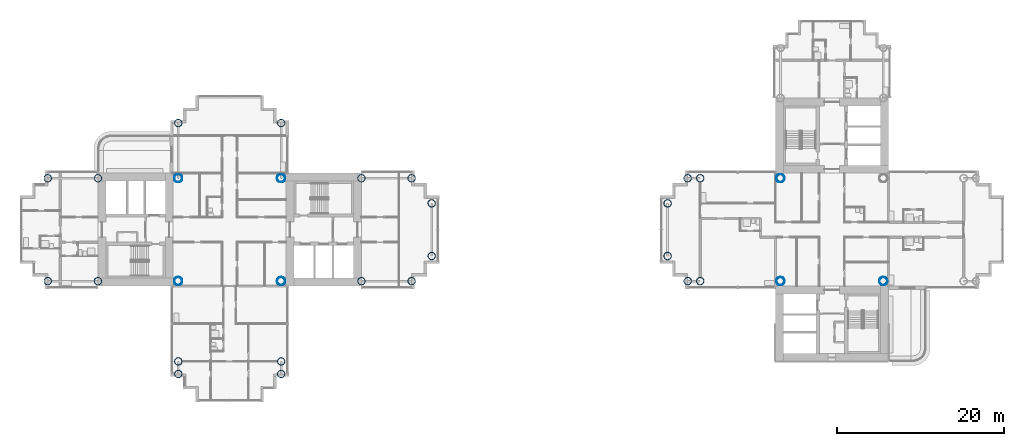
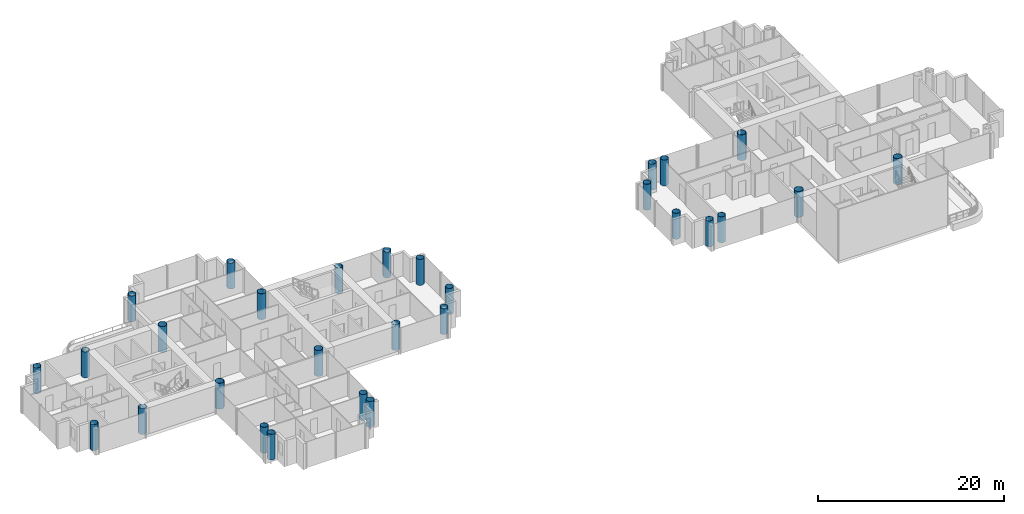
# One storey, part 1 of 22: 29 columns.
"""IFC4 building model written with IfcOpenShell, lengths in metres."""

from ifc_helpers import new_model, si_unit, direction, frame, origin, origin_2d, place, context, subcontext, project, spatial, hollow_circle, extrude, material, material_profile, profile_set, type_object, element, save


model = new_model("IFC4")

# Units and contexts
model_context = context("Model", 3, precision=1e-05, world=origin(), true_north=direction((0.0, 1.0)))
body_context = subcontext(model_context, "Body", "Model", "MODEL_VIEW")
ifc_project = project(units=[si_unit("LENGTHUNIT", "METRE"), si_unit("AREAUNIT", "SQUARE_METRE"), si_unit("VOLUMEUNIT", "CUBIC_METRE"), si_unit("PLANEANGLEUNIT", "RADIAN"), si_unit("MASSUNIT", "GRAM", prefix="KILO")], contexts=[model_context])

# Site, building, storey
site_placement = place(None, origin())
site = spatial("IfcSite", under=ifc_project, at=site_placement, CompositionType="ELEMENT")
building_placement = place(site_placement, origin())
building = spatial("IfcBuilding", under=site, at=building_placement, Name="Ipe Terrace Towers", CompositionType="ELEMENT")
storey_placement = place(building_placement, frame((0.0, 0.0, 90.199951171875)))
storey = spatial("IfcBuildingStorey", under=building, at=storey_placement, Name="L24", CompositionType="ELEMENT", Elevation=90.199951171875)

# Columns
ifc_material_1 = material(Name="Steel S355 tube with Concrete C60/75 fill", Category="concrete")
ifc_material_profile_1 = material_profile(ifc_material_1, hollow_circle(Radius=0.5, WallThickness=0.035888671875, at=origin_2d()), Name="CHS-1000x36")
ifc_profile_set_1 = profile_set([ifc_material_profile_1], Name="Steel S355 tube with Concrete C60/75 fill")
column_type_1 = type_object("IfcColumnType", Name="CH01 COLUMN CHS-1000x36", PredefinedType="COLUMN", material=ifc_profile_set_1)
for number, where, z_axis, x_axis, name in (
    (1, (-42.14990234375, -6.14990234375, 0.0), (0.0, 0.0, 1.0), (1.0, 0.0, 0.0), "Column T1-C-E01"),
    (2, (-29.85009765625, -6.14990234375, 0.0), (0.0, 0.0, 1.0), (1.0, 0.0, 0.0), "Column T1-C-E02"),
    (3, (-29.85009765625, 6.14990234375, 0.0), (0.0, 0.0, 1.0), (1.0, 0.0, 0.0), "Column T1-C-E03"),
    (4, (-42.14990234375, 6.14990234375, 0.0), (0.0, 0.0, 1.0), (1.0, 0.0, 0.0), "Column T1-C-E04"),
    (5, (42.14990234375, -6.14990234375, 0.0), (0.0, 0.0, 1.0), (1.0, 0.0, 0.0), "Column T2-C-E01"),
    (6, (29.85009765625, 6.14990234375, 0.0), (0.0, 0.0, 1.0), (1.0, 0.0, 0.0), "Column T2-C-E03"),
    (7, (29.85009765625, -6.14990234375, 0.0), (0.0, 0.0, 1.0), (1.0, 0.0, 0.0), "Column T2-C-E04"),
):
    element("IfcColumn", number, at=place(storey_placement, frame(where, z_axis=z_axis, x_axis=x_axis)), inside=storey, type_object=column_type_1, Name=name, PredefinedType="COLUMN", context=body_context, shape_type="SweptSolid", body=[
        extrude(hollow_circle(Radius=0.5, WallThickness=0.035888671875, at=origin_2d()), origin(), (0.0, 0.0, 1.0), 3.400146484375),
    ])
ifc_material_2 = material(Name="Steel S355 tube with Concrete C60/75 fill", Category="concrete")
ifc_material_profile_2 = material_profile(ifc_material_2, hollow_circle(Radius=0.449951171875, WallThickness=0.031982421875, at=origin_2d()), Name="CHS-900x32")
ifc_profile_set_2 = profile_set([ifc_material_profile_2], Name="Steel S355 tube with Concrete C60/75 fill")
column_type_2 = type_object("IfcColumnType", Name="CH10 COLUMN CHS-900x32", PredefinedType="COLUMN", material=ifc_profile_set_2)
for number, where, z_axis, x_axis, name in (
    (8, (-20.25, -6.14990234375, 0.0), (0.0, 0.0, 1.0), (1.0, 0.0, 0.0), "Column T1-C-A01"),
    (9, (-20.25, 6.14990234375, 0.0), (0.0, 0.0, 1.0), (1.0, 0.0, 0.0), "Column T1-C-A02"),
    (10, (-14.25, -6.14990234375, 0.0), (0.0, 0.0, 1.0), (1.0, 0.0, 0.0), "Column T1-C-A03"),
    (11, (-14.25, 6.14990234375, 0.0), (0.0, 0.0, 1.0), (1.0, 0.0, 0.0), "Column T1-C-A04"),
    (12, (-11.85009765625, -3.14990234375, 0.0), (0.0, 0.0, 1.0), (1.0, 0.0, 0.0), "Column T1-C-A05"),
    (13, (-11.85009765625, 3.14990234375, 0.0), (0.0, 0.0, 1.0), (1.0, 0.0, 0.0), "Column T1-C-A06"),
    (14, (-29.85009765625, 12.75, 0.0), (0.0, 0.0, 1.0), (1.0, 0.0, 0.0), "Column T1-C-B01"),
    (15, (-42.14990234375, 12.75, 0.0), (0.0, 0.0, 1.0), (1.0, 0.0, 0.0), "Column T1-C-B02"),
    (16, (-51.75, -6.14990234375, 0.0), (0.0, 0.0, 1.0), (1.0, 0.0, 0.0), "Column T1-C-C01"),
    (17, (-51.75, 6.14990234375, 0.0), (0.0, 0.0, 1.0), (1.0, 0.0, 0.0), "Column T1-C-C02"),
    (18, (-57.75, -6.14990234375, 0.0), (0.0, 0.0, 1.0), (1.0, 0.0, 0.0), "Column T1-C-C03"),
    (19, (-57.75, 6.14990234375, 0.0), (0.0, 0.0, 1.0), (1.0, 0.0, 0.0), "Column T1-C-C04"),
    (20, (-42.14990234375, -15.75, 0.0), (0.0, 0.0, 1.0), (1.0, 0.0, 0.0), "Column T1-C-D03"),
    (21, (-29.85009765625, -15.75, 0.0), (0.0, 0.0, 1.0), (1.0, 0.0, 0.0), "Column T1-C-D04"),
    (22, (-42.14990234375, -17.25, 0.0), (0.0, 0.0, 1.0), (1.0, 0.0, 0.0), "Column T1-C-D05"),
    (23, (-29.85009765625, -17.25, 0.0), (0.0, 0.0, 1.0), (1.0, 0.0, 0.0), "Column T1-C-D06"),
    (24, (20.25, 6.14990234375, 0.0), (0.0, 0.0, 1.0), (1.0, 0.0, 0.0), "Column T2-C-B03"),
    (25, (20.25, -6.14990234375, 0.0), (0.0, 0.0, 1.0), (1.0, 0.0, 0.0), "Column T2-C-B04"),
    (26, (18.75, 6.14990234375, 0.0), (0.0, 0.0, 1.0), (1.0, 0.0, 0.0), "Column T2-C-B05"),
    (27, (18.75, -6.14990234375, 0.0), (0.0, 0.0, 1.0), (1.0, 0.0, 0.0), "Column T2-C-B06"),
    (28, (16.35009765625, 3.14990234375, 0.0), (0.0, 0.0, 1.0), (1.0, 0.0, 0.0), "Column T2-C-B07"),
    (29, (16.35009765625, -3.14990234375, 0.0), (0.0, 0.0, 1.0), (1.0, 0.0, 0.0), "Column T2-C-B08"),
):
    element("IfcColumn", number, at=place(storey_placement, frame(where, z_axis=z_axis, x_axis=x_axis)), inside=storey, type_object=column_type_2, Name=name, PredefinedType="COLUMN", context=body_context, shape_type="SweptSolid", body=[
        extrude(hollow_circle(Radius=0.449951171875, WallThickness=0.031982421875, at=origin_2d()), origin(), (0.0, 0.0, 1.0), 3.400146484375),
    ])

save(model, "model.ifc")
